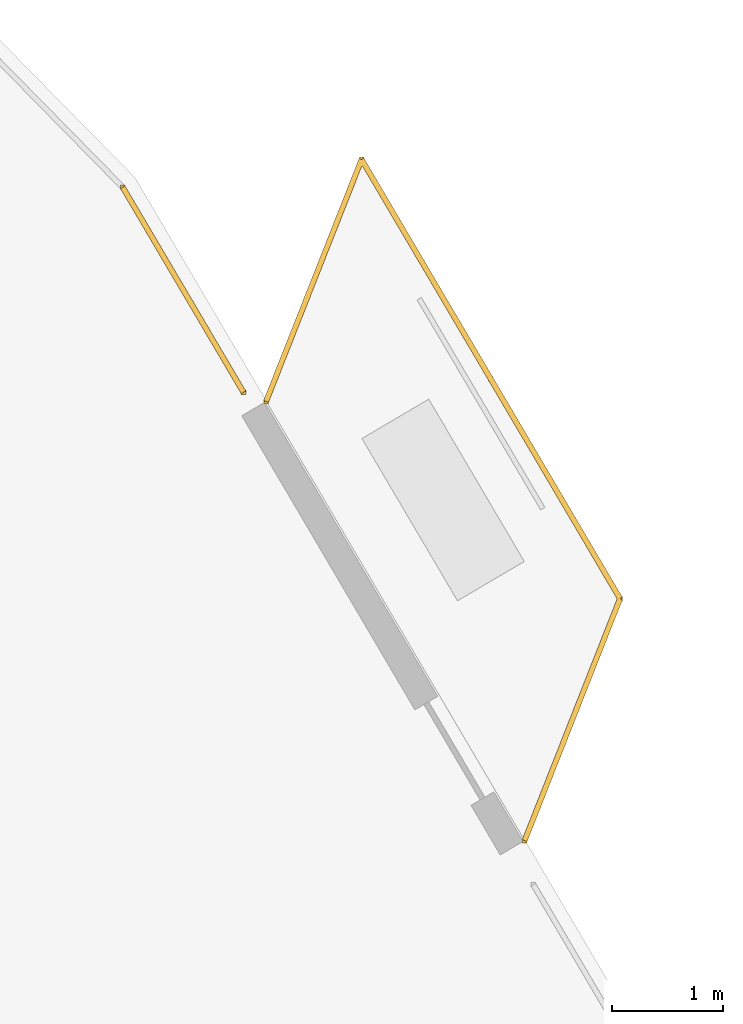
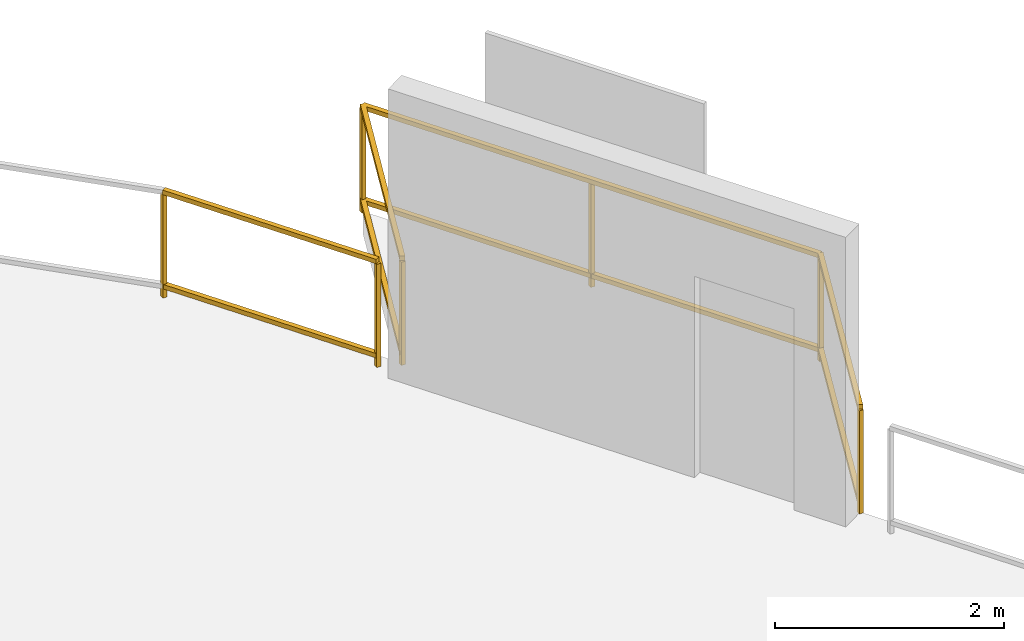
# One storey, part 31 of 31: 2 railings.
"""IFC4 building model written with IfcOpenShell, lengths in metres."""

from ifc_helpers import new_model, si_unit, direction, frame, origin, origin_2d, place, context, subcontext, project, spatial, rectangle, extrude, material, type_object, element, save


model = new_model("IFC4")

# Units and contexts
model_context = context("Model", 3, precision=1e-05, world=origin(), true_north=direction((0.0, 1.0)))
body_context = subcontext(model_context, "Body", "Model", "MODEL_VIEW")
ifc_project = project(units=[si_unit("LENGTHUNIT", "METRE"), si_unit("AREAUNIT", "SQUARE_METRE"), si_unit("VOLUMEUNIT", "CUBIC_METRE"), si_unit("PLANEANGLEUNIT", "RADIAN"), si_unit("MASSUNIT", "GRAM", prefix="KILO")], contexts=[model_context])

# Site, building, storey
site_placement = place(None, origin())
site = spatial("IfcSite", under=ifc_project, at=site_placement, CompositionType="ELEMENT")
building_placement = place(site_placement, origin())
building = spatial("IfcBuilding", under=site, at=building_placement, Name="Qarnah Convention Tower", CompositionType="ELEMENT")
storey_placement = place(building_placement, frame((0.0, 0.0, 68.39990234375)))
storey = spatial("IfcBuildingStorey", under=building, at=storey_placement, Name="L17", CompositionType="ELEMENT", Elevation=68.39990234375)

# Railings
ifc_material = material(Name="Black anodised aluminium", Category="aluminium")
railing_type = type_object("IfcRailingType", Name="RL-EXT-GUARD-1150", PredefinedType="GUARDRAIL", material=ifc_material)
railing_1_placement = place(storey_placement, frame((57.387939453125, 42.656982421875, 0.0)))
element("IfcRailing", 1, at=railing_1_placement, inside=storey, type_object=railing_type, Name="L17 slab-edge perimeter safety guard 01", PredefinedType="GUARDRAIL", context=body_context, shape_type="SweptSolid", body=[
    extrude(rectangle(XDim=0.048095703125, YDim=0.048095703125, at=origin_2d()), frame((0.0, 0.0, 1.1259765625), z_axis=(0.507442231882, -0.861685778752, 0.0), x_axis=(0.861685778752, 0.507442231882, 0.0)), (0.0, 0.0, 1.0), 2.148193359375),
    extrude(rectangle(XDim=0.048095703125, YDim=0.048095703125, at=origin_2d()), frame((0.0, 0.0, 0.1201171875), z_axis=(0.507442231882, -0.861685778752, 0.0), x_axis=(0.861685778752, 0.507442231882, 0.0)), (0.0, 0.0, 1.0), 2.148193359375),
    extrude(rectangle(XDim=0.0419921875, YDim=0.0419921875, at=origin_2d()), origin(), (0.0, 0.0, 1.0), 1.101806640625),
    extrude(rectangle(XDim=0.0419921875, YDim=0.0419921875, at=origin_2d()), frame((1.090087890625, -1.85107421875, 0.0)), (0.0, 0.0, 1.0), 1.101806640625),
])
railing_2_placement = place(storey_placement, frame((58.681884765625, 40.72412109375, 0.0)))
element("IfcRailing", 2, at=railing_2_placement, inside=storey, type_object=railing_type, Name="L17 balcony safety guard BAL-L17-C1", PredefinedType="GUARDRAIL", context=body_context, shape_type="SweptSolid", body=[
    extrude(rectangle(XDim=0.048095703125, YDim=0.048095703125, at=origin_2d()), frame((0.0, 0.0, 1.1259765625), z_axis=(0.367173637406, 0.930152417614, 0.0), x_axis=(-0.930152417614, 0.367173637406, 0.0)), (0.0, 0.0, 1.0), 2.347900390625),
    extrude(rectangle(XDim=0.048095703125, YDim=0.048095703125, at=origin_2d()), frame((0.0, 0.0, 0.1201171875), z_axis=(0.367173637406, 0.930152417614, 0.0), x_axis=(-0.930152417614, 0.367173637406, 0.0)), (0.0, 0.0, 1.0), 2.347900390625),
    extrude(rectangle(XDim=0.048095703125, YDim=0.048095703125, at=origin_2d()), frame((0.862060546875, 2.183837890625, 1.1259765625), z_axis=(0.507233523081, -0.861808652233, 0.0), x_axis=(0.861808652233, 0.507233523081, 0.0)), (0.0, 0.0, 1.0), 4.599365234375),
    extrude(rectangle(XDim=0.048095703125, YDim=0.048095703125, at=origin_2d()), frame((0.862060546875, 2.183837890625, 0.1201171875), z_axis=(0.507233523081, -0.861808652233, 0.0), x_axis=(0.861808652233, 0.507233523081, 0.0)), (0.0, 0.0, 1.0), 4.599365234375),
    extrude(rectangle(XDim=0.048095703125, YDim=0.048095703125, at=origin_2d()), frame((3.195068359375, -1.780029296875, 1.1259765625), z_axis=(-0.36668819405, -0.930343897892, 0.0), x_axis=(0.930343897892, -0.36668819405, 0.0)), (0.0, 0.0, 1.0), 2.34765625),
    extrude(rectangle(XDim=0.048095703125, YDim=0.048095703125, at=origin_2d()), frame((3.195068359375, -1.780029296875, 0.1201171875), z_axis=(-0.36668819405, -0.930343897892, 0.0), x_axis=(0.930343897892, -0.36668819405, 0.0)), (0.0, 0.0, 1.0), 2.34765625),
    extrude(rectangle(XDim=0.0419921875, YDim=0.0419921875, at=origin_2d()), origin(), (0.0, 0.0, 1.0), 1.101806640625),
    extrude(rectangle(XDim=0.0419921875, YDim=0.0419921875, at=origin_2d()), frame((0.862060546875, 2.183837890625, 0.0)), (0.0, 0.0, 1.0), 1.101806640625),
    extrude(rectangle(XDim=0.0419921875, YDim=0.0419921875, at=origin_2d()), frame((2.028564453125, 0.201904296875, 0.0)), (0.0, 0.0, 1.0), 1.101806640625),
    extrude(rectangle(XDim=0.0419921875, YDim=0.0419921875, at=origin_2d()), frame((3.195068359375, -1.780029296875, 0.0)), (0.0, 0.0, 1.0), 1.101806640625),
    extrude(rectangle(XDim=0.0419921875, YDim=0.0419921875, at=origin_2d()), frame((2.334228515625, -3.964111328125, 0.0)), (0.0, 0.0, 1.0), 1.101806640625),
])

save(model, "model.ifc")
